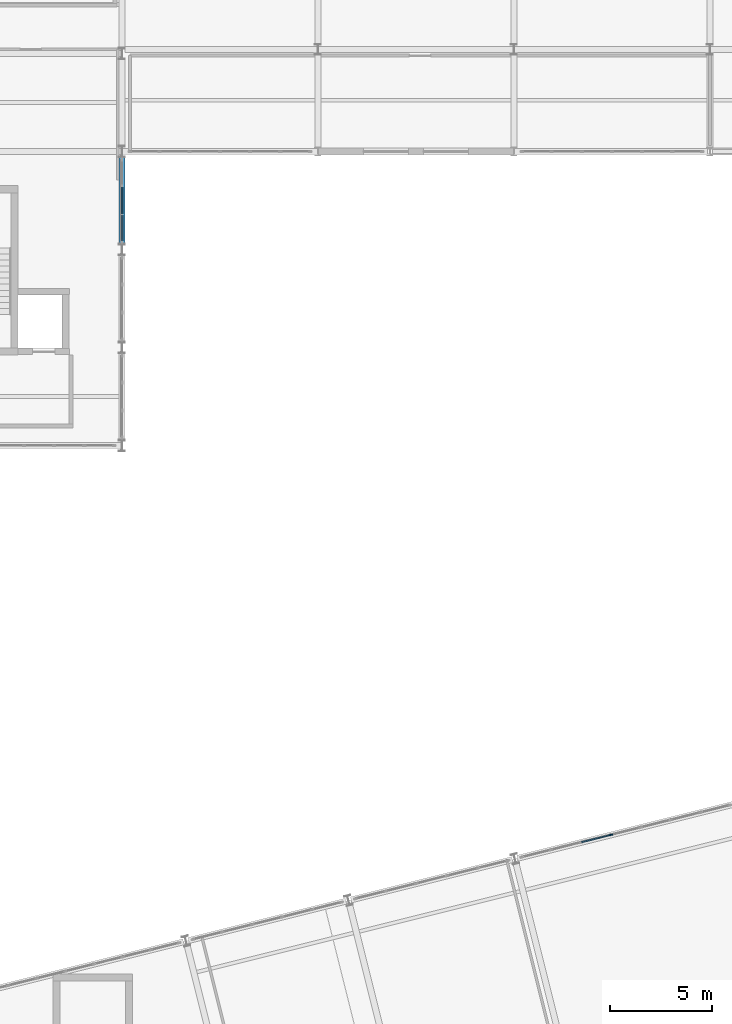
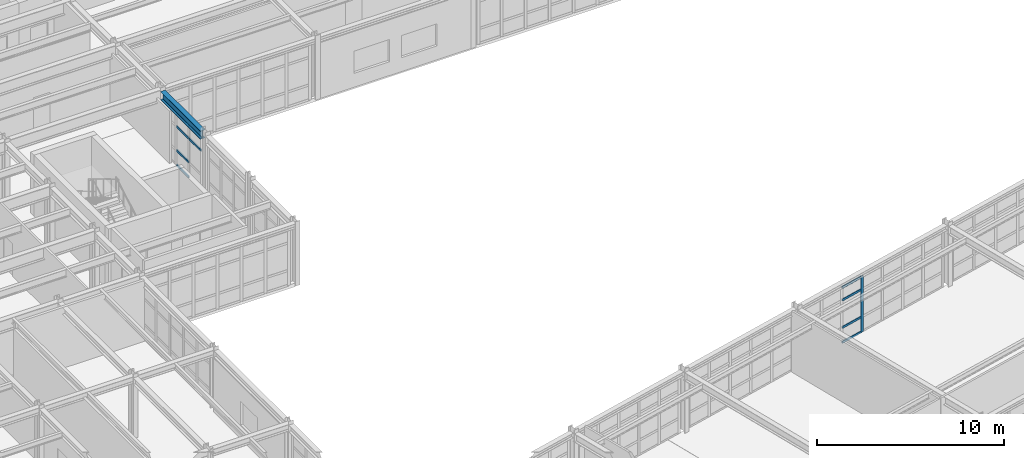
# One storey, part 30 of 88: 11 members, 1 beam, 2 elements without a shape of their own.
"""IFC4 building model written with IfcOpenShell, lengths in metres."""

from ifc_helpers import new_model, si_unit, direction, frame, origin, origin_2d, place, context, subcontext, project, spatial, rectangle, i_section, extrude, material, layer, layer_set, material_profile, profile_set, type_object, element, aggregate, save


model = new_model("IFC4")

# Units and contexts
model_context = context("Model", 3, precision=1e-05, world=origin(), true_north=direction((0.0, 1.0)))
body_context = subcontext(model_context, "Body", "Model", "MODEL_VIEW")
ifc_project = project(units=[si_unit("LENGTHUNIT", "METRE"), si_unit("AREAUNIT", "SQUARE_METRE"), si_unit("VOLUMEUNIT", "CUBIC_METRE"), si_unit("PLANEANGLEUNIT", "RADIAN"), si_unit("MASSUNIT", "GRAM", prefix="KILO")], contexts=[model_context])

# Site, building, storey
site_placement = place(None, origin())
site = spatial("IfcSite", under=ifc_project, at=site_placement, CompositionType="ELEMENT")
building_placement = place(site_placement, origin())
building = spatial("IfcBuilding", under=site, at=building_placement, Name="Nordkorset Police Headquarters", CompositionType="ELEMENT")
storey_placement = place(building_placement, frame((0.0, 0.0, 9.449951171875)))
storey = spatial("IfcBuildingStorey", under=building, at=storey_placement, Name="L02", CompositionType="ELEMENT", Elevation=9.449951171875)

# Curtain wall, member
ifc_material_1 = material(Name="Aluminium alloy AW-6060", Category="aluminium")
ifc_layer_1 = layer(ifc_material_1, 0.179931640625, Name="Aluminium alloy AW-6060")
ifc_layer_set_1 = layer_set([ifc_layer_1], Name="Aluminium alloy AW-6060")
curtain_wall_type_1 = type_object("IfcCurtainWallType", Name="CW_Unit_1056x364", PredefinedType="USERDEFINED", material=ifc_layer_set_1)
curtain_wall_1_placement = place(storey_placement, origin())
curtain_wall_1 = element("IfcCurtainWall", 1, at=curtain_wall_1_placement, inside=storey, type_object=curtain_wall_type_1, Name="Unitised Curtain Wall L02 V4N-3", ObjectType="UNITISED CURTAIN WALL", PredefinedType="USERDEFINED")
ifc_material_2 = material(Name="Aluminium alloy AW-6060", Category="aluminium")
ifc_material_profile_1 = material_profile(ifc_material_2, rectangle(XDim=0.06494140625, YDim=0.179931640625, at=origin_2d()), Name="ALU MULL 65x180")
ifc_profile_set_1 = profile_set([ifc_material_profile_1], Name="Aluminium alloy AW-6060")
member_type_1 = type_object("IfcMemberType", Name="CW_Mullion_65x180", PredefinedType="MULLION", material=ifc_profile_set_1)
member_1_placement = place(storey_placement, frame((52.74853515625, 64.13037109375, 0.0), z_axis=(0.0, 0.0, 1.0), x_axis=(-0.242536070676, 0.970142388735, 0.0)))
member_1 = element("IfcMember", 2, at=member_1_placement, type_object=member_type_1, Name="CW-31 mullion 4", PredefinedType="MULLION", context=body_context, shape_type="SweptSolid", body=[
    extrude(rectangle(XDim=0.06494140625, YDim=0.179931640625, at=origin_2d()), origin(), (0.0, 0.0, 1.0), 3.64013671875),
])

# Curtain wall, members
ifc_material_3 = material(Name="Aluminium alloy AW-6060", Category="aluminium")
ifc_layer_2 = layer(ifc_material_3, 0.179931640625, Name="Aluminium alloy AW-6060")
ifc_layer_set_2 = layer_set([ifc_layer_2], Name="Aluminium alloy AW-6060")
curtain_wall_type_2 = type_object("IfcCurtainWallType", Name="CW_Unit_408x341", PredefinedType="USERDEFINED", material=ifc_layer_set_2)
curtain_wall_2_placement = place(storey_placement, origin())
curtain_wall_2 = element("IfcCurtainWall", 3, at=curtain_wall_2_placement, inside=storey, type_object=curtain_wall_type_2, Name="Unitised Curtain Wall L02 V1E-2", ObjectType="UNITISED CURTAIN WALL", PredefinedType="USERDEFINED")
ifc_material_4 = material(Name="Aluminium alloy AW-6060", Category="aluminium")
ifc_material_profile_2 = material_profile(ifc_material_4, rectangle(XDim=0.06494140625, YDim=0.139892578125, at=origin_2d()), Name="ALU TRAN 65x140")
ifc_profile_set_2 = profile_set([ifc_material_profile_2], Name="Aluminium alloy AW-6060")
member_type_2 = type_object("IfcMemberType", Name="CW_Transom_65x140", PredefinedType="USERDEFINED", material=ifc_profile_set_2)
member_2_placement = place(storey_placement, frame((28.800048828125, 93.22509765625, 2.56005859375), z_axis=(0.0, 1.0, 0.0), x_axis=(-1.0, 0.0, 0.0)))
member_2 = element("IfcMember", 4, at=member_2_placement, type_object=member_type_2, Name="CW-40 transom 1.3", ObjectType="TRANSOM", PredefinedType="USERDEFINED", context=body_context, shape_type="SweptSolid", body=[
    extrude(rectangle(XDim=0.06494140625, YDim=0.139892578125, at=origin_2d()), origin(), (0.0, 0.0, 1.0), 1.262451171875),
])
member_3_placement = place(storey_placement, frame((28.800048828125, 93.22509765625, 3.37744140625), z_axis=(0.0, 1.0, 0.0), x_axis=(-1.0, 0.0, 0.0)))
member_3 = element("IfcMember", 5, at=member_3_placement, type_object=member_type_2, Name="CW-40 transom 1.4", ObjectType="TRANSOM", PredefinedType="USERDEFINED", context=body_context, shape_type="SweptSolid", body=[
    extrude(rectangle(XDim=0.06494140625, YDim=0.139892578125, at=origin_2d()), origin(), (0.0, 0.0, 1.0), 1.262451171875),
])
member_4_placement = place(storey_placement, frame((28.800048828125, 94.552490234375, 0.032470703125), z_axis=(0.0, 1.0, 0.0), x_axis=(-1.0, 0.0, 0.0)))
member_4 = element("IfcMember", 6, at=member_4_placement, type_object=member_type_2, Name="CW-40 transom 2.1", ObjectType="TRANSOM", PredefinedType="USERDEFINED", context=body_context, shape_type="SweptSolid", body=[
    extrude(rectangle(XDim=0.06494140625, YDim=0.139892578125, at=origin_2d()), origin(), (0.0, 0.0, 1.0), 1.294921875),
])
member_5_placement = place(storey_placement, frame((28.800048828125, 94.552490234375, 1.0), z_axis=(0.0, 1.0, 0.0), x_axis=(-1.0, 0.0, 0.0)))
member_5 = element("IfcMember", 7, at=member_5_placement, type_object=member_type_2, Name="CW-40 transom 2.2", ObjectType="TRANSOM", PredefinedType="USERDEFINED", context=body_context, shape_type="SweptSolid", body=[
    extrude(rectangle(XDim=0.06494140625, YDim=0.139892578125, at=origin_2d()), origin(), (0.0, 0.0, 1.0), 1.294921875),
])
member_6_placement = place(storey_placement, frame((28.800048828125, 94.552490234375, 2.56005859375), z_axis=(0.0, 1.0, 0.0), x_axis=(-1.0, 0.0, 0.0)))
member_6 = element("IfcMember", 8, at=member_6_placement, type_object=member_type_2, Name="CW-40 transom 2.3", ObjectType="TRANSOM", PredefinedType="USERDEFINED", context=body_context, shape_type="SweptSolid", body=[
    extrude(rectangle(XDim=0.06494140625, YDim=0.139892578125, at=origin_2d()), origin(), (0.0, 0.0, 1.0), 1.294921875),
])
member_7_placement = place(storey_placement, frame((28.800048828125, 94.552490234375, 3.37744140625), z_axis=(0.0, 1.0, 0.0), x_axis=(-1.0, 0.0, 0.0)))
member_7 = element("IfcMember", 9, at=member_7_placement, type_object=member_type_2, Name="CW-40 transom 2.4", ObjectType="TRANSOM", PredefinedType="USERDEFINED", context=body_context, shape_type="SweptSolid", body=[
    extrude(rectangle(XDim=0.06494140625, YDim=0.139892578125, at=origin_2d()), origin(), (0.0, 0.0, 1.0), 1.294921875),
])
aggregate(curtain_wall_2, [member_2, member_3, member_4, member_5, member_6, member_7])

# Member
member_8_placement = place(storey_placement, frame((51.316650390625, 63.772216796875, 0.032470703125), z_axis=(0.9701026929, 0.24269479852, 0.0), x_axis=(-0.24269479852, 0.9701026929, 0.0)))
member_8 = element("IfcMember", 10, at=member_8_placement, type_object=member_type_2, Name="CW-31 transom 3.1", ObjectType="TRANSOM", PredefinedType="USERDEFINED", context=body_context, shape_type="SweptSolid", body=[
    extrude(rectangle(XDim=0.06494140625, YDim=0.139892578125, at=origin_2d()), origin(), (0.0, 0.0, 1.0), 1.443603515625),
])

member_9_placement = place(storey_placement, frame((51.316650390625, 63.772216796875, 1.0), z_axis=(0.9701026929, 0.24269479852, 0.0), x_axis=(-0.24269479852, 0.9701026929, 0.0)))
member_9 = element("IfcMember", 11, at=member_9_placement, type_object=member_type_2, Name="CW-31 transom 3.2", ObjectType="TRANSOM", PredefinedType="USERDEFINED", context=body_context, shape_type="SweptSolid", body=[
    extrude(rectangle(XDim=0.06494140625, YDim=0.139892578125, at=origin_2d()), origin(), (0.0, 0.0, 1.0), 1.443603515625),
])

member_10_placement = place(storey_placement, frame((51.316650390625, 63.772216796875, 2.7900390625), z_axis=(0.9701026929, 0.24269479852, 0.0), x_axis=(-0.24269479852, 0.9701026929, 0.0)))
member_10 = element("IfcMember", 12, at=member_10_placement, type_object=member_type_2, Name="CW-31 transom 3.3", ObjectType="TRANSOM", PredefinedType="USERDEFINED", context=body_context, shape_type="SweptSolid", body=[
    extrude(rectangle(XDim=0.06494140625, YDim=0.139892578125, at=origin_2d()), origin(), (0.0, 0.0, 1.0), 1.443603515625),
])

member_11_placement = place(storey_placement, frame((51.316650390625, 63.772216796875, 3.607666015625), z_axis=(0.9701026929, 0.24269479852, 0.0), x_axis=(-0.24269479852, 0.9701026929, 0.0)))
member_11 = element("IfcMember", 13, at=member_11_placement, type_object=member_type_2, Name="CW-31 transom 3.4", ObjectType="TRANSOM", PredefinedType="USERDEFINED", context=body_context, shape_type="SweptSolid", body=[
    extrude(rectangle(XDim=0.06494140625, YDim=0.139892578125, at=origin_2d()), origin(), (0.0, 0.0, 1.0), 1.443603515625),
])

aggregate(curtain_wall_1, [member_1, member_8, member_9, member_10, member_11])

# Beam
ifc_material_5 = material(Name="Steel S355J2", Category="steel")
ifc_material_profile_3 = material_profile(ifc_material_5, i_section(OverallWidth=0.300048828125, OverallDepth=0.5400390625, WebThickness=0.012451171875, FlangeThickness=0.02392578125, FilletRadius=0.027099609375, at=origin_2d()), Name="HEA 550")
ifc_profile_set_3 = profile_set([ifc_material_profile_3], Name="Steel S355J2")
beam_type = type_object("IfcBeamType", Name="Girder_HEA_550", PredefinedType="USERDEFINED", material=ifc_profile_set_3)
beam_placement = place(storey_placement, frame((28.800048828125, 93.074951171875, 3.699951171875), z_axis=(0.0, 1.0, 0.0), x_axis=(-1.0, 0.0, 0.0)))
element("IfcBeam", 14, at=beam_placement, inside=storey, type_object=beam_type, Name="Girder V1 L02 GY-2-2", ObjectType="GIRDER", PredefinedType="USERDEFINED", context=body_context, shape_type="SweptSolid", body=[
    extrude(i_section(OverallWidth=0.300048828125, OverallDepth=0.5400390625, WebThickness=0.012451171875, FlangeThickness=0.02392578125, FilletRadius=0.027099609375, at=origin_2d()), origin(), (0.0, 0.0, 1.0), 4.25),
])

save(model, "model.ifc")
